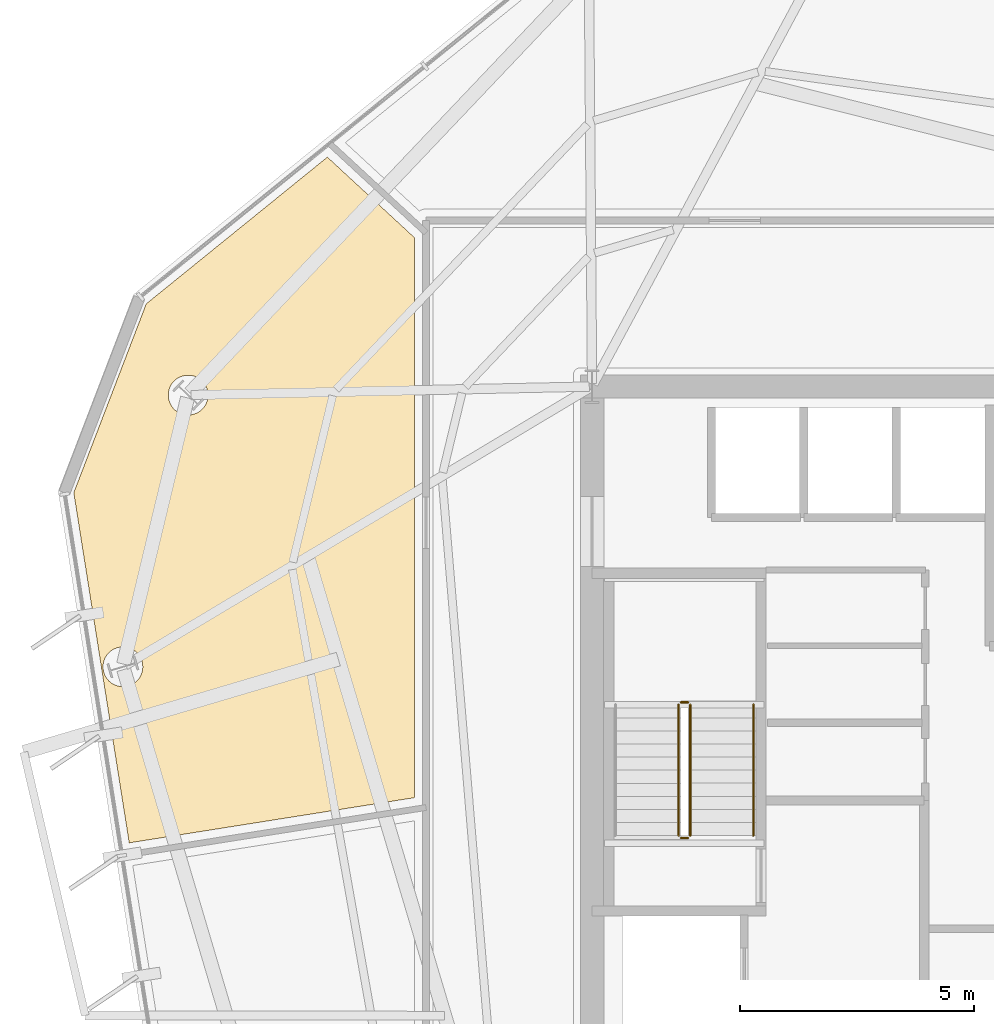
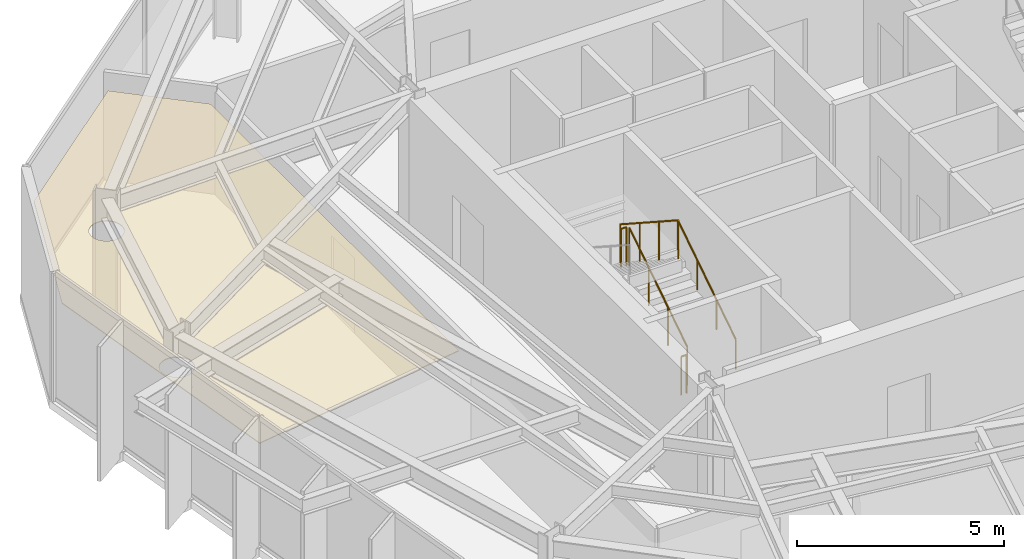
# One storey, part 10 of 12: 5 railings, 1 covering.
"""IFC4 building model written with IfcOpenShell, lengths in metres."""

from ifc_helpers import new_model, si_unit, direction, frame, origin, origin_2d, place, context, subcontext, project, spatial, polyline, circle, outline, extrude, material, layer, layer_set, type_object, element, save


model = new_model("IFC4")

# Units and contexts
model_context = context("Model", 3, precision=1e-05, world=origin(), true_north=direction((0.0, 1.0)))
body_context = subcontext(model_context, "Body", "Model", "MODEL_VIEW")
ifc_project = project(units=[si_unit("LENGTHUNIT", "METRE"), si_unit("AREAUNIT", "SQUARE_METRE"), si_unit("VOLUMEUNIT", "CUBIC_METRE"), si_unit("PLANEANGLEUNIT", "RADIAN"), si_unit("MASSUNIT", "GRAM", prefix="KILO")], contexts=[model_context])

# Site, building, storey
site_placement = place(None, origin())
site = spatial("IfcSite", under=ifc_project, at=site_placement, CompositionType="ELEMENT")
building_placement = place(site_placement, origin())
building = spatial("IfcBuilding", under=site, at=building_placement, Name="Kranzbogen Civic Tower", CompositionType="ELEMENT")
storey_placement = place(building_placement, frame((0.0, 0.0, 180.800048828125)))
storey = spatial("IfcBuildingStorey", under=building, at=storey_placement, Name="L43", CompositionType="ELEMENT", Elevation=180.800048828125)

# Railings
ifc_material_1 = material(Name="Steel S355", Category="steel")
railing_type_1 = type_object("IfcRailingType", Name="Internal Stair and Void Steel Guardrail 1150", PredefinedType="GUARDRAIL", material=ifc_material_1)
railing_1_placement = place(storey_placement, frame((19.300048828125, 22.60009765625, 0.181884765625)))
element("IfcRailing", 1, at=railing_1_placement, inside=storey, type_object=railing_type_1, Name="L43 ST-T1 stair guard 1", PredefinedType="GUARDRAIL", context=body_context, shape_type="SweptSolid", body=[
    extrude(circle(Radius=0.02392578125, at=origin_2d()), frame((0.0, 0.0, 1.1259765625), z_axis=(0.0, 0.83868413941, 0.544618136222), x_axis=(-1.0, 0.0, 0.0)), (0.0, 0.0, 1.0), 3.33837890625),
    extrude(circle(Radius=0.02099609375, at=origin_2d()), origin(), (0.0, 0.0, 1.0), 1.101806640625),
    extrude(circle(Radius=0.02099609375, at=origin_2d()), frame((0.0, 0.933349609375, 0.60595703125)), (0.0, 0.0, 1.0), 1.101806640625),
    extrude(circle(Radius=0.02099609375, at=origin_2d()), frame((0.0, 1.866455078125, 1.212158203125)), (0.0, 0.0, 1.0), 1.101806640625),
    extrude(circle(Radius=0.02099609375, at=origin_2d()), frame((0.0, 2.7998046875, 1.818115234375)), (0.0, 0.0, 1.0), 1.101806640625),
])
railing_2_placement = place(storey_placement, frame((19.25, 25.449951171875, 2.0)))
element("IfcRailing", 2, at=railing_2_placement, inside=storey, type_object=railing_type_1, Name="L43 ST-T1 stair guard 2", PredefinedType="GUARDRAIL", context=body_context, shape_type="SweptSolid", body=[
    extrude(circle(Radius=0.02392578125, at=origin_2d()), frame((0.0, 0.0, 1.1259765625), z_axis=(-1.0, 0.0, 0.0), x_axis=(0.0, -1.0, 0.0)), (0.0, 0.0, 1.0), 0.14990234375),
    extrude(circle(Radius=0.02099609375, at=origin_2d()), origin(), (0.0, 0.0, 1.0), 1.101806640625),
    extrude(circle(Radius=0.02099609375, at=origin_2d()), frame((-0.14990234375, 0.0, 0.0)), (0.0, 0.0, 1.0), 1.101806640625),
])
railing_3_placement = place(storey_placement, frame((19.050048828125, 25.39990234375, 2.181884765625)))
element("IfcRailing", 3, at=railing_3_placement, inside=storey, type_object=railing_type_1, Name="L43 ST-T1 stair guard 3", PredefinedType="GUARDRAIL", context=body_context, shape_type="SweptSolid", body=[
    extrude(circle(Radius=0.02392578125, at=origin_2d()), frame((0.0, 0.0, 1.1259765625), z_axis=(0.0, -0.83868413941, 0.544618136222), x_axis=(1.0, 0.0, 0.0)), (0.0, 0.0, 1.0), 3.33837890625),
    extrude(circle(Radius=0.02099609375, at=origin_2d()), origin(), (0.0, 0.0, 1.0), 1.101806640625),
    extrude(circle(Radius=0.02099609375, at=origin_2d()), frame((0.0, -0.933349609375, 0.60595703125)), (0.0, 0.0, 1.0), 1.101806640625),
    extrude(circle(Radius=0.02099609375, at=origin_2d()), frame((0.0, -1.866455078125, 1.212158203125)), (0.0, 0.0, 1.0), 1.101806640625),
    extrude(circle(Radius=0.02099609375, at=origin_2d()), frame((0.0, -2.7998046875, 1.818115234375)), (0.0, 0.0, 1.0), 1.101806640625),
])
railing_4_placement = place(storey_placement, frame((19.25, 22.550048828125, 0.0)))
element("IfcRailing", 4, at=railing_4_placement, inside=storey, type_object=railing_type_1, Name="L43 ST-T1 stair guard 4", PredefinedType="GUARDRAIL", context=body_context, shape_type="SweptSolid", body=[
    extrude(circle(Radius=0.02392578125, at=origin_2d()), frame((0.0, 0.0, 1.1259765625), z_axis=(-1.0, 0.0, 0.0), x_axis=(0.0, -1.0, 0.0)), (0.0, 0.0, 1.0), 0.14990234375),
    extrude(circle(Radius=0.02099609375, at=origin_2d()), origin(), (0.0, 0.0, 1.0), 1.101806640625),
    extrude(circle(Radius=0.02099609375, at=origin_2d()), frame((-0.14990234375, 0.0, 0.0)), (0.0, 0.0, 1.0), 1.101806640625),
])

# Covering
ifc_material_2 = material(Name="Perforated Acoustic Gypsum Ceiling")
ifc_layer = layer(ifc_material_2, 0.02490234375, Name="Perforated Acoustic Gypsum Ceiling")
ifc_layer_set = layer_set([ifc_layer], Name="Perforated Acoustic Gypsum Ceiling")
covering_type = type_object("IfcCoveringType", Name="Perforated Acoustic Mineral Ceiling Tile 25 mm", PredefinedType="CEILING", material=ifc_layer_set)
covering_placement = place(storey_placement, frame((0.0, 0.0, 2.75)))
element("IfcCovering", 5, at=covering_placement, inside=storey, type_object=covering_type, Name="L43 Operations Security Control Room acoustic ceiling", PredefinedType="CEILING", context=body_context, shape_type="SweptSolid", body=[
    extrude(outline(polyline([(7.6708984375, 33.968017578125), (11.5419921875, 37.10302734375), (13.405029296875, 35.381103515625), (13.405029296875, 23.412109375), (7.306884765625, 22.446044921875), (6.1220703125, 29.929931640625), (7.6708984375, 33.968017578125)]), holes=[polyline([(7.56494140625, 26.0458984375), (7.547119140625, 26.008056640625), (7.52587890625, 25.972900390625), (7.5009765625, 25.93896484375), (7.472900390625, 25.907958984375), (7.44189453125, 25.8798828125), (7.407958984375, 25.85498046875), (7.373046875, 25.833984375), (7.3349609375, 25.81591796875), (7.2958984375, 25.802001953125), (7.2548828125, 25.7919921875), (7.214111328125, 25.785888671875), (7.172119140625, 25.783935546875), (7.1298828125, 25.785888671875), (7.089111328125, 25.7919921875), (7.048095703125, 25.802001953125), (7.009033203125, 25.81591796875), (6.970947265625, 25.833984375), (6.93603515625, 25.85498046875), (6.902099609375, 25.8798828125), (6.87109375, 25.907958984375), (6.843017578125, 25.93896484375), (6.818115234375, 25.972900390625), (6.797119140625, 26.008056640625), (6.779052734375, 26.0458984375), (6.764892578125, 26.0849609375), (6.7548828125, 26.1259765625), (6.7490234375, 26.1669921875), (6.7470703125, 26.208984375), (6.7490234375, 26.2509765625), (6.7548828125, 26.2919921875), (6.764892578125, 26.3330078125), (6.779052734375, 26.3720703125), (6.797119140625, 26.409912109375), (6.818115234375, 26.445068359375), (6.843017578125, 26.47900390625), (6.87109375, 26.510009765625), (6.902099609375, 26.5380859375), (6.93603515625, 26.56298828125), (6.970947265625, 26.583984375), (7.009033203125, 26.60205078125), (7.048095703125, 26.615966796875), (7.089111328125, 26.6259765625), (7.1298828125, 26.632080078125), (7.172119140625, 26.634033203125), (7.214111328125, 26.632080078125), (7.2548828125, 26.6259765625), (7.2958984375, 26.615966796875), (7.3349609375, 26.60205078125), (7.373046875, 26.583984375), (7.407958984375, 26.56298828125), (7.44189453125, 26.5380859375), (7.472900390625, 26.510009765625), (7.5009765625, 26.47900390625), (7.52587890625, 26.445068359375), (7.547119140625, 26.409912109375), (7.56494140625, 26.3720703125), (7.5791015625, 26.3330078125), (7.589111328125, 26.2919921875), (7.594970703125, 26.2509765625), (7.596923828125, 26.208984375), (7.594970703125, 26.1669921875), (7.589111328125, 26.1259765625), (7.5791015625, 26.0849609375), (7.56494140625, 26.0458984375)]), polyline([(8.9599609375, 31.85302734375), (8.94189453125, 31.81494140625), (8.9208984375, 31.780029296875), (8.89599609375, 31.74609375), (8.867919921875, 31.715087890625), (8.8369140625, 31.68701171875), (8.802978515625, 31.662109375), (8.76806640625, 31.64111328125), (8.72998046875, 31.623046875), (8.69091796875, 31.60888671875), (8.64990234375, 31.59912109375), (8.60888671875, 31.593017578125), (8.56689453125, 31.591064453125), (8.52490234375, 31.593017578125), (8.48388671875, 31.59912109375), (8.443115234375, 31.60888671875), (8.404052734375, 31.623046875), (8.365966796875, 31.64111328125), (8.3310546875, 31.662109375), (8.297119140625, 31.68701171875), (8.26611328125, 31.715087890625), (8.238037109375, 31.74609375), (8.212890625, 31.780029296875), (8.19189453125, 31.81494140625), (8.174072265625, 31.85302734375), (8.159912109375, 31.89208984375), (8.14990234375, 31.93310546875), (8.14404296875, 31.97412109375), (8.14208984375, 32.01611328125), (8.14404296875, 32.05810546875), (8.14990234375, 32.09912109375), (8.159912109375, 32.139892578125), (8.174072265625, 32.178955078125), (8.19189453125, 32.217041015625), (8.212890625, 32.251953125), (8.238037109375, 32.285888671875), (8.26611328125, 32.31689453125), (8.297119140625, 32.344970703125), (8.3310546875, 32.3701171875), (8.365966796875, 32.39111328125), (8.404052734375, 32.408935546875), (8.443115234375, 32.423095703125), (8.48388671875, 32.43310546875), (8.52490234375, 32.43896484375), (8.56689453125, 32.44091796875), (8.60888671875, 32.43896484375), (8.64990234375, 32.43310546875), (8.69091796875, 32.423095703125), (8.72998046875, 32.408935546875), (8.76806640625, 32.39111328125), (8.802978515625, 32.3701171875), (8.8369140625, 32.344970703125), (8.867919921875, 32.31689453125), (8.89599609375, 32.285888671875), (8.9208984375, 32.251953125), (8.94189453125, 32.217041015625), (8.9599609375, 32.178955078125), (8.97412109375, 32.139892578125), (8.98388671875, 32.09912109375), (8.989990234375, 32.05810546875), (8.991943359375, 32.01611328125), (8.989990234375, 31.97412109375), (8.98388671875, 31.93310546875), (8.97412109375, 31.89208984375), (8.9599609375, 31.85302734375)])]), origin(), (0.0, 0.0, 1.0), 0.02490234375),
])

# Railing
ifc_material_3 = material(Name="Pale Anodised Aluminium", Category="aluminium")
railing_type_2 = type_object("IfcRailingType", Name="Tubular Stainless Stair Wall Handrail 900", PredefinedType="HANDRAIL", material=ifc_material_3)
railing_5_placement = place(storey_placement, frame((20.64990234375, 22.60009765625, 0.181884765625)))
element("IfcRailing", 6, at=railing_5_placement, inside=storey, type_object=railing_type_2, Name="L43 ST-T1 stair handrail 1", PredefinedType="HANDRAIL", context=body_context, shape_type="SweptSolid", body=[
    extrude(circle(Radius=0.02392578125, at=origin_2d()), frame((0.0, 0.0, 0.8759765625), z_axis=(0.0, 0.83868413941, 0.544618136222), x_axis=(-1.0, 0.0, 0.0)), (0.0, 0.0, 1.0), 3.33837890625),
    extrude(circle(Radius=0.02099609375, at=origin_2d()), origin(), (0.0, 0.0, 1.0), 0.851806640625),
    extrude(circle(Radius=0.02099609375, at=origin_2d()), frame((0.0, 0.933349609375, 0.60595703125)), (0.0, 0.0, 1.0), 0.851806640625),
    extrude(circle(Radius=0.02099609375, at=origin_2d()), frame((0.0, 1.866455078125, 1.212158203125)), (0.0, 0.0, 1.0), 0.851806640625),
    extrude(circle(Radius=0.02099609375, at=origin_2d()), frame((0.0, 2.7998046875, 1.818115234375)), (0.0, 0.0, 1.0), 0.851806640625),
])

save(model, "model.ifc")
